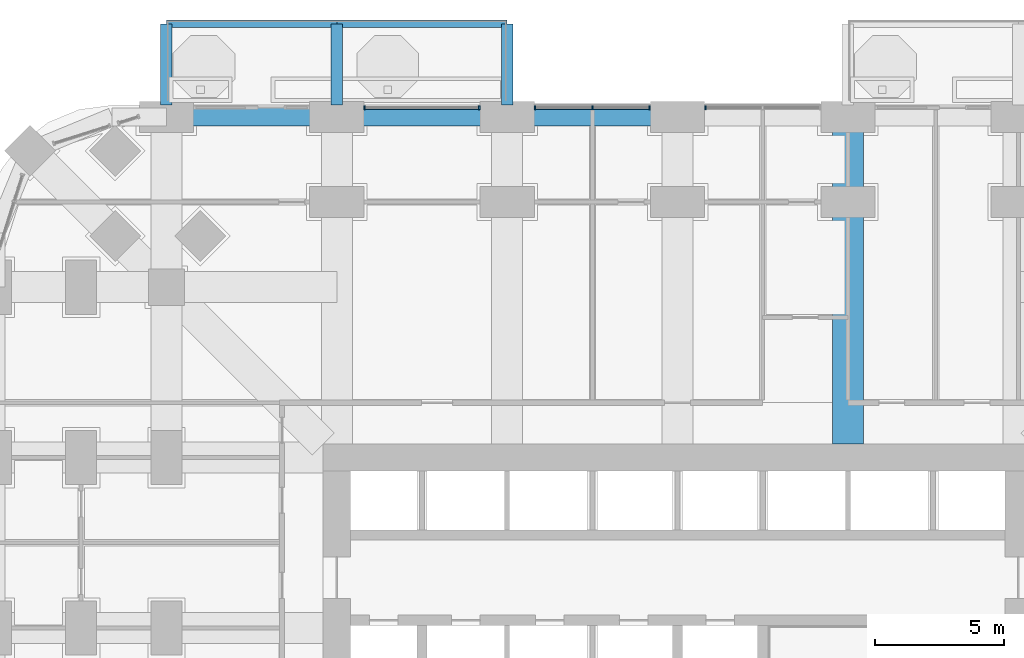
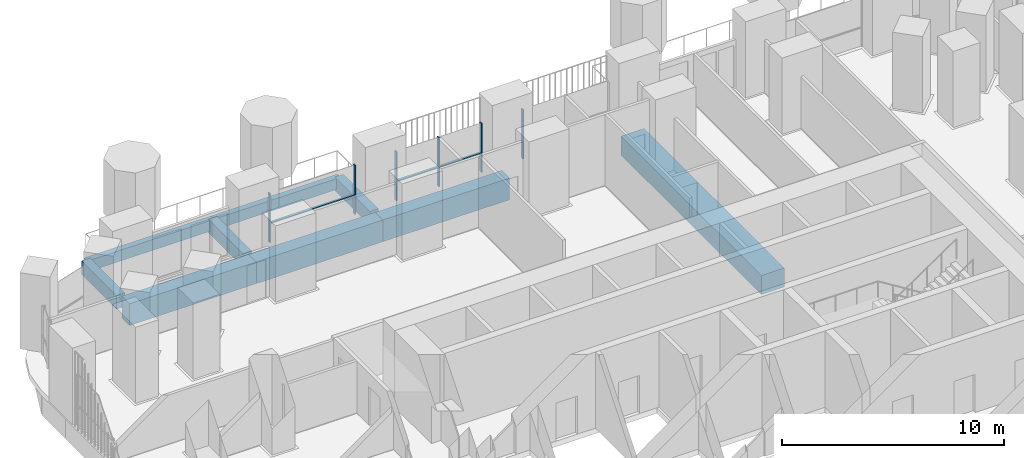
# One storey, part 8 of 27: 9 beams, 9 members, 3 elements without a shape of their own.
"""IFC4 building model written with IfcOpenShell, lengths in metres."""

from ifc_helpers import new_model, si_unit, direction, frame, origin, origin_2d, place, context, subcontext, project, spatial, rectangle, extrude, material, material_profile, profile_set, type_object, element, aggregate, save


model = new_model("IFC4")

# Units and contexts
model_context = context("Model", 3, precision=1e-05, world=origin(), true_north=direction((0.0, 1.0)))
body_context = subcontext(model_context, "Body", "Model", "MODEL_VIEW")
ifc_project = project(units=[si_unit("LENGTHUNIT", "METRE"), si_unit("AREAUNIT", "SQUARE_METRE"), si_unit("VOLUMEUNIT", "CUBIC_METRE"), si_unit("PLANEANGLEUNIT", "RADIAN"), si_unit("MASSUNIT", "GRAM", prefix="KILO")], contexts=[model_context])

# Site, building, storey
site_placement = place(None, origin())
site = spatial("IfcSite", under=ifc_project, at=site_placement, CompositionType="ELEMENT")
building_placement = place(site_placement, origin())
building = spatial("IfcBuilding", under=site, at=building_placement, Name="Cobogo Forest Laboratory Tower", CompositionType="ELEMENT")
storey_placement = place(building_placement, frame((0.0, 0.0, 38.10009765625)))
storey = spatial("IfcBuildingStorey", under=building, at=storey_placement, Name="L08", CompositionType="ELEMENT", Elevation=38.10009765625)

# Beams
ifc_material_1 = material(Name="Concrete HA-40 (C40/50)", Category="concrete")
ifc_material_profile_1 = material_profile(ifc_material_1, rectangle(XDim=0.449951171875, YDim=0.75, at=origin_2d()), Name="RC 450x750")
ifc_profile_set_1 = profile_set([ifc_material_profile_1], Name="Concrete HA-40 (C40/50)")
beam_type_1 = type_object("IfcBeamType", Name="Balcony cantilever beam 450x750", PredefinedType="BEAM", material=ifc_profile_set_1)
for number, where, z_axis, x_axis, name in (
    (1, (6.60009765625, 46.64990234375, -0.625), (0.0, 1.0, 0.0), (-1.0, 0.0, 0.0), "CB1 BAL-N1-C1 L08"),
    (2, (13.199951171875, 46.64990234375, -0.625), (0.0, 1.0, 0.0), (-1.0, 0.0, 0.0), "CB1 BAL-N1-C2 L08"),
    (3, (19.800048828125, 46.64990234375, -0.625), (0.0, 1.0, 0.0), (-1.0, 0.0, 0.0), "CB1 BAL-N1-C3 L08"),
):
    element("IfcBeam", number, at=place(storey_placement, frame(where, z_axis=z_axis, x_axis=x_axis)), inside=storey, type_object=beam_type_1, Name=name, PredefinedType="BEAM", context=body_context, shape_type="SweptSolid", body=[
        extrude(rectangle(XDim=0.449951171875, YDim=0.75, at=origin_2d()), origin(), (0.0, 0.0, 1.0), 3.150146484375),
    ])
ifc_material_profile_2 = material_profile(ifc_material_1, rectangle(XDim=0.300048828125, YDim=0.60009765625, at=origin_2d()), Name="RC 300x600")
ifc_profile_set_2 = profile_set([ifc_material_profile_2], Name="Concrete HA-40 (C40/50)")
beam_type_2 = type_object("IfcBeamType", Name="Balcony edge beam 300x600", PredefinedType="BEAM", material=ifc_profile_set_2)
beam_1_placement = place(storey_placement, frame((6.60009765625, 49.800048828125, -0.550048828125), z_axis=(1.0, 0.0, 0.0), x_axis=(0.0, 1.0, 0.0)))
element("IfcBeam", 4, at=beam_1_placement, inside=storey, type_object=beam_type_2, Name="BB1 BAL-N1-T1 L08", PredefinedType="BEAM", context=body_context, shape_type="SweptSolid", body=[
    extrude(rectangle(XDim=0.300048828125, YDim=0.60009765625, at=origin_2d()), origin(), (0.0, 0.0, 1.0), 6.599853515625),
])
beam_2_placement = place(storey_placement, frame((13.199951171875, 49.800048828125, -0.550048828125), z_axis=(1.0, 0.0, 0.0), x_axis=(0.0, 1.0, 0.0)))
element("IfcBeam", 5, at=beam_2_placement, inside=storey, type_object=beam_type_2, Name="BB1 BAL-N1-T2 L08", PredefinedType="BEAM", context=body_context, shape_type="SweptSolid", body=[
    extrude(rectangle(XDim=0.300048828125, YDim=0.60009765625, at=origin_2d()), origin(), (0.0, 0.0, 1.0), 6.60009765625),
])
ifc_material_profile_3 = material_profile(ifc_material_1, rectangle(XDim=1.199951171875, YDim=1.050048828125, at=origin_2d()), Name="RC 1200x1050")
ifc_profile_set_3 = profile_set([ifc_material_profile_3], Name="Concrete HA-40 (C40/50)")
beam_type_3 = type_object("IfcBeamType", Name="Laboratory floor wide beam 1200x1050", PredefinedType="BEAM", material=ifc_profile_set_3)
beam_3_placement = place(storey_placement, frame((33.0, 33.52490234375, -0.8251953125), z_axis=(0.0, 1.0, 0.0), x_axis=(-1.0, 0.0, 0.0)))
element("IfcBeam", 6, at=beam_3_placement, inside=storey, type_object=beam_type_3, Name="RB1 R-6-N L08", PredefinedType="BEAM", context=body_context, shape_type="SweptSolid", body=[
    extrude(rectangle(XDim=1.199951171875, YDim=1.050048828125, at=origin_2d()), origin(), (0.0, 0.0, 1.0), 12.675048828125),
])

# Curtain wall, member
ifc_material_2 = material(Name="Aluminium curtain wall", Category="aluminium")
curtain_wall_type = type_object("IfcCurtainWallType", Name="CW-1 unitised curtain wall, clear glazing, laboratory floors zones A and B", PredefinedType="USERDEFINED", material=ifc_material_2)
curtain_wall_1_placement = place(storey_placement, origin())
curtain_wall_1 = element("IfcCurtainWall", 7, at=curtain_wall_1_placement, inside=storey, type_object=curtain_wall_type, Name="Curtain wall 20 L08", ObjectType="UNITISED CURTAIN WALL", PredefinedType="USERDEFINED")
ifc_material_3 = material(Name="Aluminium mullion", Category="aluminium")
ifc_material_profile_4 = material_profile(ifc_material_3, rectangle(XDim=0.06005859375, YDim=0.159912109375, at=origin_2d()), Name="AL 60x160")
ifc_profile_set_4 = profile_set([ifc_material_profile_4], Name="Aluminium mullion")
member_type_1 = type_object("IfcMemberType", Name="MU-1 aluminium mullion 60x160", PredefinedType="MULLION", material=ifc_profile_set_4)
member_1_placement = place(storey_placement, frame((27.47998046875, 46.550048828125, 0.0), z_axis=(0.0, 0.0, 1.0), x_axis=(-1.0, 0.0, 0.0)))
member_1 = element("IfcMember", 8, at=member_1_placement, type_object=member_type_1, Name="CW-1 mullion 3", PredefinedType="MULLION", context=body_context, shape_type="SweptSolid", body=[
    extrude(rectangle(XDim=0.06005859375, YDim=0.159912109375, at=origin_2d()), origin(), (0.0, 0.0, 1.0), 2.699951171875),
])
aggregate(curtain_wall_1, [member_1])

# Curtain wall, members
curtain_wall_2_placement = place(storey_placement, origin())
curtain_wall_2 = element("IfcCurtainWall", 9, at=curtain_wall_2_placement, inside=storey, type_object=curtain_wall_type, Name="Curtain wall 21 L08", ObjectType="UNITISED CURTAIN WALL", PredefinedType="USERDEFINED")
member_2_placement = place(storey_placement, frame((25.320068359375, 46.550048828125, 0.0), z_axis=(0.0, 0.0, 1.0), x_axis=(-1.0, 0.0, 0.0)))
member_2 = element("IfcMember", 10, at=member_2_placement, type_object=member_type_1, Name="CW-1 mullion 1", PredefinedType="MULLION", context=body_context, shape_type="SweptSolid", body=[
    extrude(rectangle(XDim=0.06005859375, YDim=0.159912109375, at=origin_2d()), origin(), (0.0, 0.0, 1.0), 2.699951171875),
])
member_3_placement = place(storey_placement, frame((23.10009765625, 46.550048828125, 0.0), z_axis=(0.0, 0.0, 1.0), x_axis=(-1.0, 0.0, 0.0)))
member_3 = element("IfcMember", 11, at=member_3_placement, type_object=member_type_1, Name="CW-1 mullion 2", PredefinedType="MULLION", context=body_context, shape_type="SweptSolid", body=[
    extrude(rectangle(XDim=0.06005859375, YDim=0.159912109375, at=origin_2d()), origin(), (0.0, 0.0, 1.0), 2.699951171875),
])
member_4_placement = place(storey_placement, frame((20.8798828125, 46.550048828125, 0.0), z_axis=(0.0, 0.0, 1.0), x_axis=(-1.0, 0.0, 0.0)))
member_4 = element("IfcMember", 12, at=member_4_placement, type_object=member_type_1, Name="CW-1 mullion 3", PredefinedType="MULLION", context=body_context, shape_type="SweptSolid", body=[
    extrude(rectangle(XDim=0.06005859375, YDim=0.159912109375, at=origin_2d()), origin(), (0.0, 0.0, 1.0), 2.699951171875),
])

curtain_wall_3_placement = place(storey_placement, origin())
curtain_wall_3 = element("IfcCurtainWall", 13, at=curtain_wall_3_placement, inside=storey, type_object=curtain_wall_type, Name="Curtain wall 22 L08", ObjectType="UNITISED CURTAIN WALL", PredefinedType="USERDEFINED")
member_5_placement = place(storey_placement, frame((18.719970703125, 46.550048828125, 0.0), z_axis=(0.0, 0.0, 1.0), x_axis=(-1.0, 0.0, 0.0)))
member_5 = element("IfcMember", 14, at=member_5_placement, type_object=member_type_1, Name="CW-1 mullion 1", PredefinedType="MULLION", context=body_context, shape_type="SweptSolid", body=[
    extrude(rectangle(XDim=0.06005859375, YDim=0.159912109375, at=origin_2d()), origin(), (0.0, 0.0, 1.0), 2.699951171875),
])
member_6_placement = place(storey_placement, frame((14.280029296875, 46.550048828125, 0.0), z_axis=(0.0, 0.0, 1.0), x_axis=(-1.0, 0.0, 0.0)))
member_6 = element("IfcMember", 15, at=member_6_placement, type_object=member_type_1, Name="CW-1 mullion 2", PredefinedType="MULLION", context=body_context, shape_type="SweptSolid", body=[
    extrude(rectangle(XDim=0.06005859375, YDim=0.159912109375, at=origin_2d()), origin(), (0.0, 0.0, 1.0), 2.699951171875),
])

# Beams
ifc_material_profile_5 = material_profile(ifc_material_1, rectangle(XDim=0.699951171875, YDim=1.199951171875, at=origin_2d()), Name="RC 700x1200")
ifc_profile_set_5 = profile_set([ifc_material_profile_5], Name="Concrete HA-40 (C40/50)")
beam_type_4 = type_object("IfcBeamType", Name="Perimeter edge beam 700x1200", PredefinedType="BEAM", material=ifc_profile_set_5)
beam_4_placement = place(storey_placement, frame((6.60009765625, 46.199951171875, -0.900146484375), z_axis=(1.0, 0.0, 0.0), x_axis=(0.0, 1.0, 0.0)))
element("IfcBeam", 16, at=beam_4_placement, inside=storey, type_object=beam_type_4, Name="EB1 E-N1 L08", PredefinedType="BEAM", context=body_context, shape_type="SweptSolid", body=[
    extrude(rectangle(XDim=0.699951171875, YDim=1.199951171875, at=origin_2d()), origin(), (0.0, 0.0, 1.0), 6.599853515625),
])
beam_5_placement = place(storey_placement, frame((13.199951171875, 46.199951171875, -0.900146484375), z_axis=(1.0, 0.0, 0.0), x_axis=(0.0, 1.0, 0.0)))
element("IfcBeam", 17, at=beam_5_placement, inside=storey, type_object=beam_type_4, Name="EB1 E-N2 L08", PredefinedType="BEAM", context=body_context, shape_type="SweptSolid", body=[
    extrude(rectangle(XDim=0.699951171875, YDim=1.199951171875, at=origin_2d()), origin(), (0.0, 0.0, 1.0), 6.60009765625),
])
beam_6_placement = place(storey_placement, frame((19.800048828125, 46.199951171875, -0.900146484375), z_axis=(1.0, 0.0, 0.0), x_axis=(0.0, 1.0, 0.0)))
element("IfcBeam", 18, at=beam_6_placement, inside=storey, type_object=beam_type_4, Name="EB1 E-N3 L08", PredefinedType="BEAM", context=body_context, shape_type="SweptSolid", body=[
    extrude(rectangle(XDim=0.699951171875, YDim=1.199951171875, at=origin_2d()), origin(), (0.0, 0.0, 1.0), 6.599853515625),
])

# Member
ifc_material_4 = material(Name="Aluminium transom", Category="aluminium")
ifc_material_profile_6 = material_profile(ifc_material_4, rectangle(XDim=0.1201171875, YDim=0.06005859375, at=origin_2d()), Name="AL 60x120")
ifc_profile_set_6 = profile_set([ifc_material_profile_6], Name="Aluminium transom")
member_type_2 = type_object("IfcMemberType", Name="TR-1 aluminium transom 60x120", PredefinedType="USERDEFINED", material=ifc_profile_set_6)
member_7_placement = place(storey_placement, frame((25.2900390625, 46.550048828125, 1.0498046875), z_axis=(-1.0, 0.0, 0.0), x_axis=(0.0, -1.0, 0.0)))
member_7 = element("IfcMember", 19, at=member_7_placement, type_object=member_type_2, Name="CW-1 transom 1.1", ObjectType="TRANSOM", PredefinedType="USERDEFINED", context=body_context, shape_type="SweptSolid", body=[
    extrude(rectangle(XDim=0.1201171875, YDim=0.06005859375, at=origin_2d()), origin(), (0.0, 0.0, 1.0), 2.16015625),
])

member_8_placement = place(storey_placement, frame((23.070068359375, 46.550048828125, 1.0498046875), z_axis=(-1.0, 0.0, 0.0), x_axis=(0.0, -1.0, 0.0)))
member_8 = element("IfcMember", 20, at=member_8_placement, type_object=member_type_2, Name="CW-1 transom 2.1", ObjectType="TRANSOM", PredefinedType="USERDEFINED", context=body_context, shape_type="SweptSolid", body=[
    extrude(rectangle(XDim=0.1201171875, YDim=0.06005859375, at=origin_2d()), origin(), (0.0, 0.0, 1.0), 2.16015625),
])

aggregate(curtain_wall_2, [member_2, member_3, member_4, member_7, member_8])

member_9_placement = place(storey_placement, frame((18.68994140625, 46.550048828125, 1.0498046875), z_axis=(-1.0, 0.0, 0.0), x_axis=(0.0, -1.0, 0.0)))
member_9 = element("IfcMember", 21, at=member_9_placement, type_object=member_type_2, Name="CW-1 transom 1.1", ObjectType="TRANSOM", PredefinedType="USERDEFINED", context=body_context, shape_type="SweptSolid", body=[
    extrude(rectangle(XDim=0.1201171875, YDim=0.06005859375, at=origin_2d()), origin(), (0.0, 0.0, 1.0), 4.3798828125),
])

aggregate(curtain_wall_3, [member_5, member_6, member_9])

save(model, "model.ifc")
